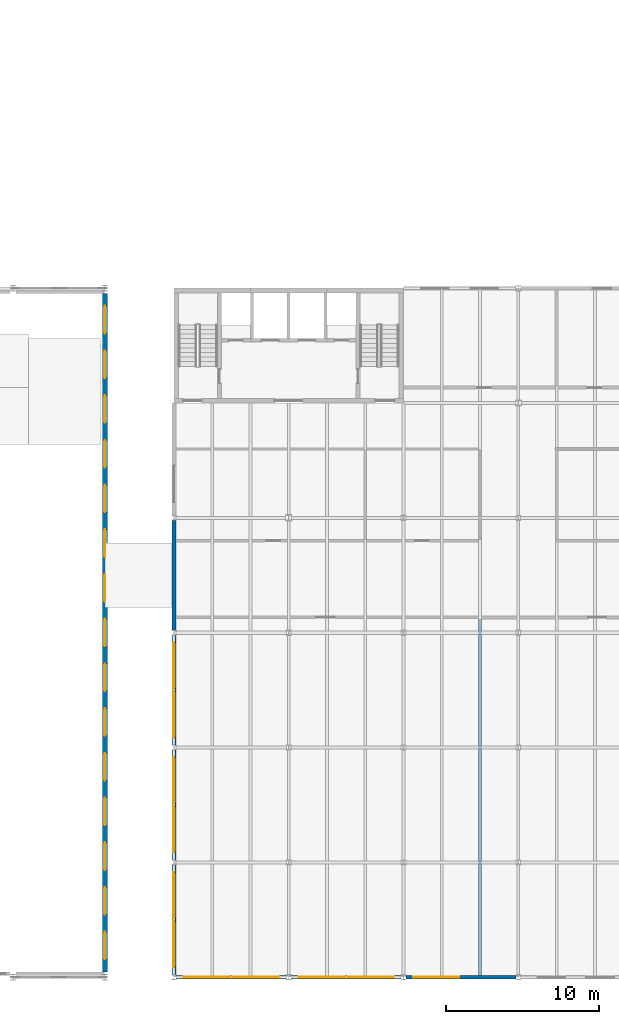
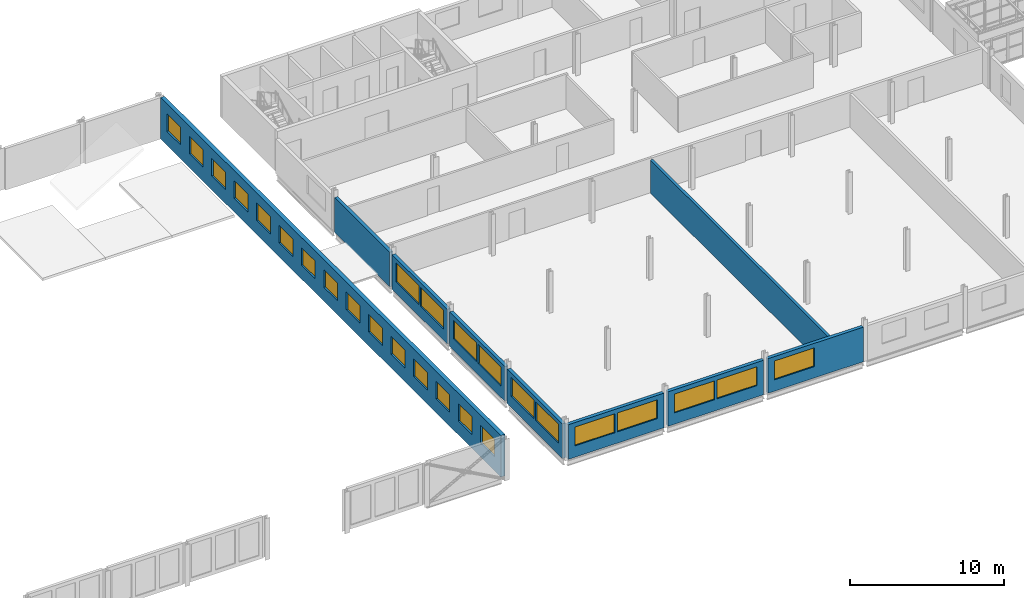
# One storey, part 45 of 198: 26 windows, 9 walls, 26 openings.
"""IFC4 building model written with IfcOpenShell, lengths in metres."""

from ifc_helpers import new_model, si_unit, direction, frame, frame_2d, origin, place, context, subcontext, project, spatial, rectangle, extrude, material, layer, layer_set, type_object, element, fill, save


model = new_model("IFC4")

# Units and contexts
model_context = context("Model", 3, precision=1e-05, world=origin(), true_north=direction((0.0, 1.0)))
body_context = subcontext(model_context, "Body", "Model", "MODEL_VIEW")
ifc_project = project(units=[si_unit("LENGTHUNIT", "METRE"), si_unit("AREAUNIT", "SQUARE_METRE"), si_unit("VOLUMEUNIT", "CUBIC_METRE"), si_unit("PLANEANGLEUNIT", "RADIAN"), si_unit("MASSUNIT", "GRAM", prefix="KILO")], contexts=[model_context])

# Site, building, storey
site_placement = place(None, origin())
site = spatial("IfcSite", under=ifc_project, at=site_placement, CompositionType="ELEMENT")
building_placement = place(site_placement, origin())
building = spatial("IfcBuilding", under=site, at=building_placement, Name="Parallax Yard Mobility Hub", CompositionType="ELEMENT")
storey_placement = place(building_placement, frame((0.0, 0.0, 6.60009765625)))
storey = spatial("IfcBuildingStorey", under=building, at=storey_placement, Name="L02", CompositionType="ELEMENT", Elevation=6.60009765625)

# Wall, openings, windows
ifc_material_1 = material(Name="Concrete fc' 35 MPa", Category="concrete")
ifc_layer_1 = layer(ifc_material_1, 0.25)
ifc_layer_set_1 = layer_set([ifc_layer_1], Name="Exterior wall, Concrete fc' 35 MPa precast, 250 with insulation lining")
wall_type_1 = type_object("IfcWallType", Name="Exterior wall, Concrete fc' 35 MPa precast, 250 with insulation lining", PredefinedType="SOLIDWALL", material=ifc_layer_set_1)
wall_1_placement = place(storey_placement, frame((97.653564453125, 7.5, 0.0), z_axis=(0.0, 0.0, 1.0), x_axis=(1.0, 0.0, 0.0)))
wall_1 = element("IfcWall", 1, at=wall_1_placement, inside=storey, type_object=wall_type_1, Name="Mobility service centre and workshops south wall bay 1 level L02", PredefinedType="SOLIDWALL", context=body_context, shape_type="SweptSolid", body=[
    extrude(rectangle(XDim=7.19287109375, YDim=0.25, at=frame_2d((3.596435546875, 0.0))), origin(), (0.0, 0.0, 1.0), 2.7509765625),
])
opening_1_placement = place(wall_1_placement, frame((0.497802734375, 0.0, 0.89990234375)))
opening_1 = element("IfcOpeningElement", 2, at=opening_1_placement, cuts=wall_1, Name="Opening W7", PredefinedType="OPENING", context=body_context, shape_type="SweptSolid", body=[
    extrude(rectangle(XDim=3.0, YDim=1.5, at=frame_2d((1.5, 0.75))), frame((0.0, 0.135009765625, 0.0), z_axis=(0.0, -1.0, 0.0), x_axis=(1.0, 0.0, 0.0)), (0.0, 0.0, 1.0), 0.27001953125),
])
opening_2_placement = place(wall_1_placement, frame((3.6953125, 0.0, 0.89990234375)))
opening_2 = element("IfcOpeningElement", 3, at=opening_2_placement, cuts=wall_1, Name="Opening W7", PredefinedType="OPENING", context=body_context, shape_type="SweptSolid", body=[
    extrude(rectangle(XDim=3.0, YDim=1.5, at=frame_2d((1.5, 0.75))), frame((0.0, 0.135009765625, 0.0), z_axis=(0.0, -1.0, 0.0), x_axis=(1.0, 0.0, 0.0)), (0.0, 0.0, 1.0), 0.27001953125),
])
ifc_material_2 = material(Name="Double glazed low-E unit in thermally broken aluminium frame", Category="aluminium")
window_type_1 = type_object("IfcWindowType", Name="Meeting room window 3000 x 1500", PartitioningType="TRIPLE_PANEL_VERTICAL", PredefinedType="WINDOW", material=ifc_material_2)
window_1_placement = place(opening_1_placement, origin())
window_1 = element("IfcWindow", 4, at=window_1_placement, inside=storey, type_object=window_type_1, Name="Window W7 level L02", OverallHeight=1.5, OverallWidth=3.0, PartitioningType="TRIPLE_PANEL_VERTICAL", PredefinedType="WINDOW", context=body_context, shape_type="SweptSolid", body=[
    extrude(rectangle(XDim=3.0, YDim=1.5, at=frame_2d((1.5, 0.75))), frame((0.0, 0.030029296875, 0.0), z_axis=(0.0, -1.0, 0.0), x_axis=(1.0, 0.0, 0.0)), (0.0, 0.0, 1.0), 0.06005859375),
])
fill(opening_1, window_1)
window_2_placement = place(opening_2_placement, origin())
window_2 = element("IfcWindow", 5, at=window_2_placement, inside=storey, type_object=window_type_1, Name="Window W7 level L02", OverallHeight=1.5, OverallWidth=3.0, PartitioningType="TRIPLE_PANEL_VERTICAL", PredefinedType="WINDOW", context=body_context, shape_type="SweptSolid", body=[
    extrude(rectangle(XDim=3.0, YDim=1.5, at=frame_2d((1.5, 0.75))), frame((0.0, 0.030029296875, 0.0), z_axis=(0.0, -1.0, 0.0), x_axis=(1.0, 0.0, 0.0)), (0.0, 0.0, 1.0), 0.06005859375),
])
fill(opening_2, window_2)

wall_2_placement = place(storey_placement, frame((105.153564453125, 7.5, 0.0), z_axis=(0.0, 0.0, 1.0), x_axis=(1.0, 0.0, 0.0)))
wall_2 = element("IfcWall", 6, at=wall_2_placement, inside=storey, type_object=wall_type_1, Name="Mobility service centre and workshops south wall bay 2 level L02", PredefinedType="SOLIDWALL", context=body_context, shape_type="SweptSolid", body=[
    extrude(rectangle(XDim=7.19287109375, YDim=0.25, at=frame_2d((3.596435546875, 0.0))), origin(), (0.0, 0.0, 1.0), 2.7509765625),
])
opening_3_placement = place(wall_2_placement, frame((0.497802734375, 0.0, 0.89990234375)))
opening_3 = element("IfcOpeningElement", 7, at=opening_3_placement, cuts=wall_2, Name="Opening W7", PredefinedType="OPENING", context=body_context, shape_type="SweptSolid", body=[
    extrude(rectangle(XDim=3.0, YDim=1.5, at=frame_2d((1.5, 0.75))), frame((0.0, 0.135009765625, 0.0), z_axis=(0.0, -1.0, 0.0), x_axis=(1.0, 0.0, 0.0)), (0.0, 0.0, 1.0), 0.27001953125),
])
opening_4_placement = place(wall_2_placement, frame((3.6953125, 0.0, 0.89990234375)))
opening_4 = element("IfcOpeningElement", 8, at=opening_4_placement, cuts=wall_2, Name="Opening W7", PredefinedType="OPENING", context=body_context, shape_type="SweptSolid", body=[
    extrude(rectangle(XDim=3.0, YDim=1.5, at=frame_2d((1.5, 0.75))), frame((0.0, 0.135009765625, 0.0), z_axis=(0.0, -1.0, 0.0), x_axis=(1.0, 0.0, 0.0)), (0.0, 0.0, 1.0), 0.27001953125),
])
window_3_placement = place(opening_3_placement, origin())
window_3 = element("IfcWindow", 9, at=window_3_placement, inside=storey, type_object=window_type_1, Name="Window W7 level L02", OverallHeight=1.5, OverallWidth=3.0, PartitioningType="TRIPLE_PANEL_VERTICAL", PredefinedType="WINDOW", context=body_context, shape_type="SweptSolid", body=[
    extrude(rectangle(XDim=3.0, YDim=1.5, at=frame_2d((1.5, 0.75))), frame((0.0, 0.030029296875, 0.0), z_axis=(0.0, -1.0, 0.0), x_axis=(1.0, 0.0, 0.0)), (0.0, 0.0, 1.0), 0.06005859375),
])
fill(opening_3, window_3)
window_4_placement = place(opening_4_placement, origin())
window_4 = element("IfcWindow", 10, at=window_4_placement, inside=storey, type_object=window_type_1, Name="Window W7 level L02", OverallHeight=1.5, OverallWidth=3.0, PartitioningType="TRIPLE_PANEL_VERTICAL", PredefinedType="WINDOW", context=body_context, shape_type="SweptSolid", body=[
    extrude(rectangle(XDim=3.0, YDim=1.5, at=frame_2d((1.5, 0.75))), frame((0.0, 0.030029296875, 0.0), z_axis=(0.0, -1.0, 0.0), x_axis=(1.0, 0.0, 0.0)), (0.0, 0.0, 1.0), 0.06005859375),
])
fill(opening_4, window_4)

# Wall, opening, window
wall_3_placement = place(storey_placement, frame((112.653564453125, 7.5, 0.0), z_axis=(0.0, 0.0, 1.0), x_axis=(1.0, 0.0, 0.0)))
wall_3 = element("IfcWall", 11, at=wall_3_placement, inside=storey, type_object=wall_type_1, Name="Mobility service centre and workshops south wall bay 3 level L02", PredefinedType="SOLIDWALL", context=body_context, shape_type="SweptSolid", body=[
    extrude(rectangle(XDim=7.19287109375, YDim=0.25, at=frame_2d((3.596435546875, 0.0))), origin(), (0.0, 0.0, 1.0), 2.7509765625),
])
opening_5_placement = place(wall_3_placement, frame((0.497802734375, 0.0, 0.89990234375)))
opening_5 = element("IfcOpeningElement", 12, at=opening_5_placement, cuts=wall_3, Name="Opening W7", PredefinedType="OPENING", context=body_context, shape_type="SweptSolid", body=[
    extrude(rectangle(XDim=3.0, YDim=1.5, at=frame_2d((1.5, 0.75))), frame((0.0, 0.135009765625, 0.0), z_axis=(0.0, -1.0, 0.0), x_axis=(1.0, 0.0, 0.0)), (0.0, 0.0, 1.0), 0.27001953125),
])
window_5_placement = place(opening_5_placement, origin())
window_5 = element("IfcWindow", 13, at=window_5_placement, inside=storey, type_object=window_type_1, Name="Window W7 level L02", OverallHeight=1.5, OverallWidth=3.0, PartitioningType="TRIPLE_PANEL_VERTICAL", PredefinedType="WINDOW", context=body_context, shape_type="SweptSolid", body=[
    extrude(rectangle(XDim=3.0, YDim=1.5, at=frame_2d((1.5, 0.75))), frame((0.0, 0.030029296875, 0.0), z_axis=(0.0, -1.0, 0.0), x_axis=(1.0, 0.0, 0.0)), (0.0, 0.0, 1.0), 0.06005859375),
])
fill(opening_5, window_5)

# Wall, openings, windows
wall_4_placement = place(storey_placement, frame((97.5, 7.653564453125, 0.0), z_axis=(0.0, 0.0, 1.0), x_axis=(0.0, 1.0, 0.0)))
wall_4 = element("IfcWall", 14, at=wall_4_placement, inside=storey, type_object=wall_type_1, Name="Mobility service centre and workshops west wall bay 1 level L02", PredefinedType="SOLIDWALL", context=body_context, shape_type="SweptSolid", body=[
    extrude(rectangle(XDim=7.19287109375, YDim=0.25, at=frame_2d((3.596435546875, 0.0))), origin(), (0.0, 0.0, 1.0), 2.7509765625),
])
opening_6_placement = place(wall_4_placement, frame((0.497802734375, 0.0, 0.89990234375)))
opening_6 = element("IfcOpeningElement", 15, at=opening_6_placement, cuts=wall_4, Name="Opening W7", PredefinedType="OPENING", context=body_context, shape_type="SweptSolid", body=[
    extrude(rectangle(XDim=3.0, YDim=1.5, at=frame_2d((1.5, 0.75))), frame((0.0, 0.135009765625, 0.0), z_axis=(0.0, -1.0, 0.0), x_axis=(1.0, 0.0, 0.0)), (0.0, 0.0, 1.0), 0.27001953125),
])
opening_7_placement = place(wall_4_placement, frame((3.6953125, 0.0, 0.89990234375)))
opening_7 = element("IfcOpeningElement", 16, at=opening_7_placement, cuts=wall_4, Name="Opening W7", PredefinedType="OPENING", context=body_context, shape_type="SweptSolid", body=[
    extrude(rectangle(XDim=3.0, YDim=1.5, at=frame_2d((1.5, 0.75))), frame((0.0, 0.135009765625, 0.0), z_axis=(0.0, -1.0, 0.0), x_axis=(1.0, 0.0, 0.0)), (0.0, 0.0, 1.0), 0.27001953125),
])
window_6_placement = place(opening_6_placement, origin())
window_6 = element("IfcWindow", 17, at=window_6_placement, inside=storey, type_object=window_type_1, Name="Window W7 level L02", OverallHeight=1.5, OverallWidth=3.0, PartitioningType="TRIPLE_PANEL_VERTICAL", PredefinedType="WINDOW", context=body_context, shape_type="SweptSolid", body=[
    extrude(rectangle(XDim=3.0, YDim=1.5, at=frame_2d((1.5, 0.75))), frame((0.0, 0.030029296875, 0.0), z_axis=(0.0, -1.0, 0.0), x_axis=(1.0, 0.0, 0.0)), (0.0, 0.0, 1.0), 0.06005859375),
])
fill(opening_6, window_6)
window_7_placement = place(opening_7_placement, origin())
window_7 = element("IfcWindow", 18, at=window_7_placement, inside=storey, type_object=window_type_1, Name="Window W7 level L02", OverallHeight=1.5, OverallWidth=3.0, PartitioningType="TRIPLE_PANEL_VERTICAL", PredefinedType="WINDOW", context=body_context, shape_type="SweptSolid", body=[
    extrude(rectangle(XDim=3.0, YDim=1.5, at=frame_2d((1.5, 0.75))), frame((0.0, 0.030029296875, 0.0), z_axis=(0.0, -1.0, 0.0), x_axis=(1.0, 0.0, 0.0)), (0.0, 0.0, 1.0), 0.06005859375),
])
fill(opening_7, window_7)

wall_5_placement = place(storey_placement, frame((97.5, 15.153564453125, 0.0), z_axis=(0.0, 0.0, 1.0), x_axis=(0.0, 1.0, 0.0)))
wall_5 = element("IfcWall", 19, at=wall_5_placement, inside=storey, type_object=wall_type_1, Name="Mobility service centre and workshops west wall bay 2 level L02", PredefinedType="SOLIDWALL", context=body_context, shape_type="SweptSolid", body=[
    extrude(rectangle(XDim=7.19287109375, YDim=0.25, at=frame_2d((3.596435546875, 0.0))), origin(), (0.0, 0.0, 1.0), 2.7509765625),
])
opening_8_placement = place(wall_5_placement, frame((0.497802734375, 0.0, 0.89990234375)))
opening_8 = element("IfcOpeningElement", 20, at=opening_8_placement, cuts=wall_5, Name="Opening W7", PredefinedType="OPENING", context=body_context, shape_type="SweptSolid", body=[
    extrude(rectangle(XDim=3.0, YDim=1.5, at=frame_2d((1.5, 0.75))), frame((0.0, 0.135009765625, 0.0), z_axis=(0.0, -1.0, 0.0), x_axis=(1.0, 0.0, 0.0)), (0.0, 0.0, 1.0), 0.27001953125),
])
opening_9_placement = place(wall_5_placement, frame((3.6953125, 0.0, 0.89990234375)))
opening_9 = element("IfcOpeningElement", 21, at=opening_9_placement, cuts=wall_5, Name="Opening W7", PredefinedType="OPENING", context=body_context, shape_type="SweptSolid", body=[
    extrude(rectangle(XDim=3.0, YDim=1.5, at=frame_2d((1.5, 0.75))), frame((0.0, 0.135009765625, 0.0), z_axis=(0.0, -1.0, 0.0), x_axis=(1.0, 0.0, 0.0)), (0.0, 0.0, 1.0), 0.27001953125),
])
window_8_placement = place(opening_8_placement, origin())
window_8 = element("IfcWindow", 22, at=window_8_placement, inside=storey, type_object=window_type_1, Name="Window W7 level L02", OverallHeight=1.5, OverallWidth=3.0, PartitioningType="TRIPLE_PANEL_VERTICAL", PredefinedType="WINDOW", context=body_context, shape_type="SweptSolid", body=[
    extrude(rectangle(XDim=3.0, YDim=1.5, at=frame_2d((1.5, 0.75))), frame((0.0, 0.030029296875, 0.0), z_axis=(0.0, -1.0, 0.0), x_axis=(1.0, 0.0, 0.0)), (0.0, 0.0, 1.0), 0.06005859375),
])
fill(opening_8, window_8)
window_9_placement = place(opening_9_placement, origin())
window_9 = element("IfcWindow", 23, at=window_9_placement, inside=storey, type_object=window_type_1, Name="Window W7 level L02", OverallHeight=1.5, OverallWidth=3.0, PartitioningType="TRIPLE_PANEL_VERTICAL", PredefinedType="WINDOW", context=body_context, shape_type="SweptSolid", body=[
    extrude(rectangle(XDim=3.0, YDim=1.5, at=frame_2d((1.5, 0.75))), frame((0.0, 0.030029296875, 0.0), z_axis=(0.0, -1.0, 0.0), x_axis=(1.0, 0.0, 0.0)), (0.0, 0.0, 1.0), 0.06005859375),
])
fill(opening_9, window_9)

wall_6_placement = place(storey_placement, frame((97.5, 22.653564453125, 0.0), z_axis=(0.0, 0.0, 1.0), x_axis=(0.0, 1.0, 0.0)))
wall_6 = element("IfcWall", 24, at=wall_6_placement, inside=storey, type_object=wall_type_1, Name="Mobility service centre and workshops west wall bay 3 level L02", PredefinedType="SOLIDWALL", context=body_context, shape_type="SweptSolid", body=[
    extrude(rectangle(XDim=7.19287109375, YDim=0.25, at=frame_2d((3.596435546875, 0.0))), origin(), (0.0, 0.0, 1.0), 2.7509765625),
])
opening_10_placement = place(wall_6_placement, frame((0.497802734375, 0.0, 0.89990234375)))
opening_10 = element("IfcOpeningElement", 25, at=opening_10_placement, cuts=wall_6, Name="Opening W7", PredefinedType="OPENING", context=body_context, shape_type="SweptSolid", body=[
    extrude(rectangle(XDim=3.0, YDim=1.5, at=frame_2d((1.5, 0.75))), frame((0.0, 0.135009765625, 0.0), z_axis=(0.0, -1.0, 0.0), x_axis=(1.0, 0.0, 0.0)), (0.0, 0.0, 1.0), 0.27001953125),
])
opening_11_placement = place(wall_6_placement, frame((3.6953125, 0.0, 0.89990234375)))
opening_11 = element("IfcOpeningElement", 26, at=opening_11_placement, cuts=wall_6, Name="Opening W7", PredefinedType="OPENING", context=body_context, shape_type="SweptSolid", body=[
    extrude(rectangle(XDim=3.0, YDim=1.5, at=frame_2d((1.5, 0.75))), frame((0.0, 0.135009765625, 0.0), z_axis=(0.0, -1.0, 0.0), x_axis=(1.0, 0.0, 0.0)), (0.0, 0.0, 1.0), 0.27001953125),
])
window_10_placement = place(opening_10_placement, origin())
window_10 = element("IfcWindow", 27, at=window_10_placement, inside=storey, type_object=window_type_1, Name="Window W7 level L02", OverallHeight=1.5, OverallWidth=3.0, PartitioningType="TRIPLE_PANEL_VERTICAL", PredefinedType="WINDOW", context=body_context, shape_type="SweptSolid", body=[
    extrude(rectangle(XDim=3.0, YDim=1.5, at=frame_2d((1.5, 0.75))), frame((0.0, 0.030029296875, 0.0), z_axis=(0.0, -1.0, 0.0), x_axis=(1.0, 0.0, 0.0)), (0.0, 0.0, 1.0), 0.06005859375),
])
fill(opening_10, window_10)
window_11_placement = place(opening_11_placement, origin())
window_11 = element("IfcWindow", 28, at=window_11_placement, inside=storey, type_object=window_type_1, Name="Window W7 level L02", OverallHeight=1.5, OverallWidth=3.0, PartitioningType="TRIPLE_PANEL_VERTICAL", PredefinedType="WINDOW", context=body_context, shape_type="SweptSolid", body=[
    extrude(rectangle(XDim=3.0, YDim=1.5, at=frame_2d((1.5, 0.75))), frame((0.0, 0.030029296875, 0.0), z_axis=(0.0, -1.0, 0.0), x_axis=(1.0, 0.0, 0.0)), (0.0, 0.0, 1.0), 0.06005859375),
])
fill(opening_11, window_11)

# Walls
wall_7_placement = place(storey_placement, frame((97.5, 30.153564453125, 0.0), z_axis=(0.0, 0.0, 1.0), x_axis=(0.0, 1.0, 0.0)))
element("IfcWall", 29, at=wall_7_placement, inside=storey, type_object=wall_type_1, Name="Mobility service centre and workshops west wall bay 4 level L02", PredefinedType="SOLIDWALL", context=body_context, shape_type="SweptSolid", body=[
    extrude(rectangle(XDim=7.1875, YDim=0.25, at=frame_2d((3.59375, 0.0))), origin(), (0.0, 0.0, 1.0), 2.7509765625),
])
ifc_material_3 = material(Name="Fire-rated plasterboard partition, two layers each side")
ifc_layer_2 = layer(ifc_material_3, 0.199951171875)
ifc_layer_set_2 = layer_set([ifc_layer_2], Name="Fire-rated partition 200 mm")
wall_type_2 = type_object("IfcWallType", Name="Fire-rated partition 200 mm", PredefinedType="PARTITIONING", material=ifc_layer_set_2)
wall_8_placement = place(storey_placement, frame((117.5, 7.625, 0.0), z_axis=(0.0, 0.0, 1.0), x_axis=(0.0, 1.0, 0.0)))
element("IfcWall", 30, at=wall_8_placement, inside=storey, type_object=wall_type_2, Name="Partition 38 level L02", PredefinedType="PARTITIONING", context=body_context, shape_type="SweptSolid", body=[
    extrude(rectangle(XDim=23.27490234375, YDim=0.199951171875, at=frame_2d((11.637451171875, 0.0))), origin(), (0.0, 0.0, 1.0), 2.626953125),
])

# Wall, openings, windows
ifc_layer_3 = layer(ifc_material_1, 0.300048828125)
ifc_layer_set_3 = layer_set([ifc_layer_3], Name="Portal end wall, Concrete fc' 35 MPa precast, 300")
wall_type_3 = type_object("IfcWallType", Name="Portal end wall, Concrete fc' 35 MPa precast, 300", PredefinedType="SOLIDWALL", material=ifc_layer_set_3)
wall_9_placement = place(storey_placement, frame((93.0, 7.8388671875, 0.0), z_axis=(0.0, 0.0, 1.0), x_axis=(0.0, 1.0, 0.0)))
wall_9 = element("IfcWall", 31, at=wall_9_placement, inside=storey, type_object=wall_type_3, Name="Bus and taxi deck east end wall bay 1 level L02", PredefinedType="SOLIDWALL", context=body_context, shape_type="SweptSolid", body=[
    extrude(rectangle(XDim=44.322265625, YDim=0.300048828125, at=frame_2d((22.1611328125, 0.0))), origin(), (0.0, 0.0, 1.0), 3.2998046875),
])
opening_12_placement = place(wall_9_placement, frame((0.820068359375, 0.0, 1.10009765625)))
opening_12 = element("IfcOpeningElement", 32, at=opening_12_placement, cuts=wall_9, Name="Opening LV2", PredefinedType="OPENING", context=body_context, shape_type="SweptSolid", body=[
    extrude(rectangle(XDim=1.800048828125, YDim=1.39990234375, at=frame_2d((0.89990234375, 0.699951171875))), frame((0.0, 0.16015625, 0.0), z_axis=(0.0, -1.0, 0.0), x_axis=(1.0, 0.0, 0.0)), (0.0, 0.0, 1.0), 0.320068359375),
])
opening_13_placement = place(wall_9_placement, frame((3.740234375, 0.0, 1.10009765625)))
opening_13 = element("IfcOpeningElement", 33, at=opening_13_placement, cuts=wall_9, Name="Opening LV2", PredefinedType="OPENING", context=body_context, shape_type="SweptSolid", body=[
    extrude(rectangle(XDim=1.800048828125, YDim=1.39990234375, at=frame_2d((0.89990234375, 0.699951171875))), frame((0.0, 0.16015625, 0.0), z_axis=(0.0, -1.0, 0.0), x_axis=(1.0, 0.0, 0.0)), (0.0, 0.0, 1.0), 0.320068359375),
])
opening_14_placement = place(wall_9_placement, frame((6.660400390625, 0.0, 1.10009765625)))
opening_14 = element("IfcOpeningElement", 34, at=opening_14_placement, cuts=wall_9, Name="Opening LV2", PredefinedType="OPENING", context=body_context, shape_type="SweptSolid", body=[
    extrude(rectangle(XDim=1.800048828125, YDim=1.39990234375, at=frame_2d((0.89990234375, 0.699951171875))), frame((0.0, 0.16015625, 0.0), z_axis=(0.0, -1.0, 0.0), x_axis=(1.0, 0.0, 0.0)), (0.0, 0.0, 1.0), 0.320068359375),
])
opening_15_placement = place(wall_9_placement, frame((9.58056640625, 0.0, 1.10009765625)))
opening_15 = element("IfcOpeningElement", 35, at=opening_15_placement, cuts=wall_9, Name="Opening LV2", PredefinedType="OPENING", context=body_context, shape_type="SweptSolid", body=[
    extrude(rectangle(XDim=1.800048828125, YDim=1.39990234375, at=frame_2d((0.89990234375, 0.699951171875))), frame((0.0, 0.16015625, 0.0), z_axis=(0.0, -1.0, 0.0), x_axis=(1.0, 0.0, 0.0)), (0.0, 0.0, 1.0), 0.320068359375),
])
opening_16_placement = place(wall_9_placement, frame((12.500732421875, 0.0, 1.10009765625)))
opening_16 = element("IfcOpeningElement", 36, at=opening_16_placement, cuts=wall_9, Name="Opening LV2", PredefinedType="OPENING", context=body_context, shape_type="SweptSolid", body=[
    extrude(rectangle(XDim=1.800048828125, YDim=1.39990234375, at=frame_2d((0.89990234375, 0.699951171875))), frame((0.0, 0.16015625, 0.0), z_axis=(0.0, -1.0, 0.0), x_axis=(1.0, 0.0, 0.0)), (0.0, 0.0, 1.0), 0.320068359375),
])
opening_17_placement = place(wall_9_placement, frame((15.4208984375, 0.0, 1.10009765625)))
opening_17 = element("IfcOpeningElement", 37, at=opening_17_placement, cuts=wall_9, Name="Opening LV2", PredefinedType="OPENING", context=body_context, shape_type="SweptSolid", body=[
    extrude(rectangle(XDim=1.800048828125, YDim=1.39990234375, at=frame_2d((0.89990234375, 0.699951171875))), frame((0.0, 0.16015625, 0.0), z_axis=(0.0, -1.0, 0.0), x_axis=(1.0, 0.0, 0.0)), (0.0, 0.0, 1.0), 0.320068359375),
])
opening_18_placement = place(wall_9_placement, frame((18.341064453125, 0.0, 1.10009765625)))
opening_18 = element("IfcOpeningElement", 38, at=opening_18_placement, cuts=wall_9, Name="Opening LV2", PredefinedType="OPENING", context=body_context, shape_type="SweptSolid", body=[
    extrude(rectangle(XDim=1.800048828125, YDim=1.39990234375, at=frame_2d((0.89990234375, 0.699951171875))), frame((0.0, 0.16015625, 0.0), z_axis=(0.0, -1.0, 0.0), x_axis=(1.0, 0.0, 0.0)), (0.0, 0.0, 1.0), 0.320068359375),
])
opening_19_placement = place(wall_9_placement, frame((21.260986328125, 0.0, 1.10009765625)))
opening_19 = element("IfcOpeningElement", 39, at=opening_19_placement, cuts=wall_9, Name="Opening LV2", PredefinedType="OPENING", context=body_context, shape_type="SweptSolid", body=[
    extrude(rectangle(XDim=1.800048828125, YDim=1.39990234375, at=frame_2d((0.89990234375, 0.699951171875))), frame((0.0, 0.16015625, 0.0), z_axis=(0.0, -1.0, 0.0), x_axis=(1.0, 0.0, 0.0)), (0.0, 0.0, 1.0), 0.320068359375),
])
opening_20_placement = place(wall_9_placement, frame((24.18115234375, 0.0, 1.10009765625)))
opening_20 = element("IfcOpeningElement", 40, at=opening_20_placement, cuts=wall_9, Name="Opening LV2", PredefinedType="OPENING", context=body_context, shape_type="SweptSolid", body=[
    extrude(rectangle(XDim=1.800048828125, YDim=1.39990234375, at=frame_2d((0.89990234375, 0.699951171875))), frame((0.0, 0.16015625, 0.0), z_axis=(0.0, -1.0, 0.0), x_axis=(1.0, 0.0, 0.0)), (0.0, 0.0, 1.0), 0.320068359375),
])
opening_21_placement = place(wall_9_placement, frame((27.101318359375, 0.0, 1.10009765625)))
opening_21 = element("IfcOpeningElement", 41, at=opening_21_placement, cuts=wall_9, Name="Opening LV2", PredefinedType="OPENING", context=body_context, shape_type="SweptSolid", body=[
    extrude(rectangle(XDim=1.800048828125, YDim=1.39990234375, at=frame_2d((0.89990234375, 0.699951171875))), frame((0.0, 0.16015625, 0.0), z_axis=(0.0, -1.0, 0.0), x_axis=(1.0, 0.0, 0.0)), (0.0, 0.0, 1.0), 0.320068359375),
])
opening_22_placement = place(wall_9_placement, frame((30.021484375, 0.0, 1.10009765625)))
opening_22 = element("IfcOpeningElement", 42, at=opening_22_placement, cuts=wall_9, Name="Opening LV2", PredefinedType="OPENING", context=body_context, shape_type="SweptSolid", body=[
    extrude(rectangle(XDim=1.800048828125, YDim=1.39990234375, at=frame_2d((0.89990234375, 0.699951171875))), frame((0.0, 0.16015625, 0.0), z_axis=(0.0, -1.0, 0.0), x_axis=(1.0, 0.0, 0.0)), (0.0, 0.0, 1.0), 0.320068359375),
])
opening_23_placement = place(wall_9_placement, frame((32.941650390625, 0.0, 1.10009765625)))
opening_23 = element("IfcOpeningElement", 43, at=opening_23_placement, cuts=wall_9, Name="Opening LV2", PredefinedType="OPENING", context=body_context, shape_type="SweptSolid", body=[
    extrude(rectangle(XDim=1.800048828125, YDim=1.39990234375, at=frame_2d((0.89990234375, 0.699951171875))), frame((0.0, 0.16015625, 0.0), z_axis=(0.0, -1.0, 0.0), x_axis=(1.0, 0.0, 0.0)), (0.0, 0.0, 1.0), 0.320068359375),
])
opening_24_placement = place(wall_9_placement, frame((35.86181640625, 0.0, 1.10009765625)))
opening_24 = element("IfcOpeningElement", 44, at=opening_24_placement, cuts=wall_9, Name="Opening LV2", PredefinedType="OPENING", context=body_context, shape_type="SweptSolid", body=[
    extrude(rectangle(XDim=1.800048828125, YDim=1.39990234375, at=frame_2d((0.89990234375, 0.699951171875))), frame((0.0, 0.16015625, 0.0), z_axis=(0.0, -1.0, 0.0), x_axis=(1.0, 0.0, 0.0)), (0.0, 0.0, 1.0), 0.320068359375),
])
opening_25_placement = place(wall_9_placement, frame((38.781982421875, 0.0, 1.10009765625)))
opening_25 = element("IfcOpeningElement", 45, at=opening_25_placement, cuts=wall_9, Name="Opening LV2", PredefinedType="OPENING", context=body_context, shape_type="SweptSolid", body=[
    extrude(rectangle(XDim=1.800048828125, YDim=1.39990234375, at=frame_2d((0.89990234375, 0.699951171875))), frame((0.0, 0.16015625, 0.0), z_axis=(0.0, -1.0, 0.0), x_axis=(1.0, 0.0, 0.0)), (0.0, 0.0, 1.0), 0.320068359375),
])
opening_26_placement = place(wall_9_placement, frame((41.7021484375, 0.0, 1.10009765625)))
opening_26 = element("IfcOpeningElement", 46, at=opening_26_placement, cuts=wall_9, Name="Opening LV2", PredefinedType="OPENING", context=body_context, shape_type="SweptSolid", body=[
    extrude(rectangle(XDim=1.800048828125, YDim=1.39990234375, at=frame_2d((0.89990234375, 0.699951171875))), frame((0.0, 0.16015625, 0.0), z_axis=(0.0, -1.0, 0.0), x_axis=(1.0, 0.0, 0.0)), (0.0, 0.0, 1.0), 0.320068359375),
])
ifc_material_4 = material(Name="Extruded aluminium storm louvre blades in a powder-coated frame", Category="aluminium")
window_type_2 = type_object("IfcWindowType", Name="Screen louvre 1800 x 1400", PartitioningType="SINGLE_PANEL", PredefinedType="WINDOW", material=ifc_material_4)
window_12_placement = place(opening_12_placement, origin())
window_12 = element("IfcWindow", 47, at=window_12_placement, inside=storey, type_object=window_type_2, Name="LV2 louvre level L02", OverallHeight=1.39990234375, OverallWidth=1.800048828125, PartitioningType="SINGLE_PANEL", PredefinedType="WINDOW", context=body_context, shape_type="SweptSolid", body=[
    extrude(rectangle(XDim=1.800048828125, YDim=1.39990234375, at=frame_2d((0.89990234375, 0.699951171875))), frame((0.0, 0.030029296875, 0.0), z_axis=(0.0, -1.0, 0.0), x_axis=(1.0, 0.0, 0.0)), (0.0, 0.0, 1.0), 0.06005859375),
])
fill(opening_12, window_12)
window_13_placement = place(opening_13_placement, origin())
window_13 = element("IfcWindow", 48, at=window_13_placement, inside=storey, type_object=window_type_2, Name="LV2 louvre level L02", OverallHeight=1.39990234375, OverallWidth=1.800048828125, PartitioningType="SINGLE_PANEL", PredefinedType="WINDOW", context=body_context, shape_type="SweptSolid", body=[
    extrude(rectangle(XDim=1.800048828125, YDim=1.39990234375, at=frame_2d((0.89990234375, 0.699951171875))), frame((0.0, 0.030029296875, 0.0), z_axis=(0.0, -1.0, 0.0), x_axis=(1.0, 0.0, 0.0)), (0.0, 0.0, 1.0), 0.06005859375),
])
fill(opening_13, window_13)
window_14_placement = place(opening_14_placement, origin())
window_14 = element("IfcWindow", 49, at=window_14_placement, inside=storey, type_object=window_type_2, Name="LV2 louvre level L02", OverallHeight=1.39990234375, OverallWidth=1.800048828125, PartitioningType="SINGLE_PANEL", PredefinedType="WINDOW", context=body_context, shape_type="SweptSolid", body=[
    extrude(rectangle(XDim=1.800048828125, YDim=1.39990234375, at=frame_2d((0.89990234375, 0.699951171875))), frame((0.0, 0.030029296875, 0.0), z_axis=(0.0, -1.0, 0.0), x_axis=(1.0, 0.0, 0.0)), (0.0, 0.0, 1.0), 0.06005859375),
])
fill(opening_14, window_14)
window_15_placement = place(opening_15_placement, origin())
window_15 = element("IfcWindow", 50, at=window_15_placement, inside=storey, type_object=window_type_2, Name="LV2 louvre level L02", OverallHeight=1.39990234375, OverallWidth=1.800048828125, PartitioningType="SINGLE_PANEL", PredefinedType="WINDOW", context=body_context, shape_type="SweptSolid", body=[
    extrude(rectangle(XDim=1.800048828125, YDim=1.39990234375, at=frame_2d((0.89990234375, 0.699951171875))), frame((0.0, 0.030029296875, 0.0), z_axis=(0.0, -1.0, 0.0), x_axis=(1.0, 0.0, 0.0)), (0.0, 0.0, 1.0), 0.06005859375),
])
fill(opening_15, window_15)
window_16_placement = place(opening_16_placement, origin())
window_16 = element("IfcWindow", 51, at=window_16_placement, inside=storey, type_object=window_type_2, Name="LV2 louvre level L02", OverallHeight=1.39990234375, OverallWidth=1.800048828125, PartitioningType="SINGLE_PANEL", PredefinedType="WINDOW", context=body_context, shape_type="SweptSolid", body=[
    extrude(rectangle(XDim=1.800048828125, YDim=1.39990234375, at=frame_2d((0.89990234375, 0.699951171875))), frame((0.0, 0.030029296875, 0.0), z_axis=(0.0, -1.0, 0.0), x_axis=(1.0, 0.0, 0.0)), (0.0, 0.0, 1.0), 0.06005859375),
])
fill(opening_16, window_16)
window_17_placement = place(opening_17_placement, origin())
window_17 = element("IfcWindow", 52, at=window_17_placement, inside=storey, type_object=window_type_2, Name="LV2 louvre level L02", OverallHeight=1.39990234375, OverallWidth=1.800048828125, PartitioningType="SINGLE_PANEL", PredefinedType="WINDOW", context=body_context, shape_type="SweptSolid", body=[
    extrude(rectangle(XDim=1.800048828125, YDim=1.39990234375, at=frame_2d((0.89990234375, 0.699951171875))), frame((0.0, 0.030029296875, 0.0), z_axis=(0.0, -1.0, 0.0), x_axis=(1.0, 0.0, 0.0)), (0.0, 0.0, 1.0), 0.06005859375),
])
fill(opening_17, window_17)
window_18_placement = place(opening_18_placement, origin())
window_18 = element("IfcWindow", 53, at=window_18_placement, inside=storey, type_object=window_type_2, Name="LV2 louvre level L02", OverallHeight=1.39990234375, OverallWidth=1.800048828125, PartitioningType="SINGLE_PANEL", PredefinedType="WINDOW", context=body_context, shape_type="SweptSolid", body=[
    extrude(rectangle(XDim=1.800048828125, YDim=1.39990234375, at=frame_2d((0.89990234375, 0.699951171875))), frame((0.0, 0.030029296875, 0.0), z_axis=(0.0, -1.0, 0.0), x_axis=(1.0, 0.0, 0.0)), (0.0, 0.0, 1.0), 0.06005859375),
])
fill(opening_18, window_18)
window_19_placement = place(opening_19_placement, origin())
window_19 = element("IfcWindow", 54, at=window_19_placement, inside=storey, type_object=window_type_2, Name="LV2 louvre level L02", OverallHeight=1.39990234375, OverallWidth=1.800048828125, PartitioningType="SINGLE_PANEL", PredefinedType="WINDOW", context=body_context, shape_type="SweptSolid", body=[
    extrude(rectangle(XDim=1.800048828125, YDim=1.39990234375, at=frame_2d((0.89990234375, 0.699951171875))), frame((0.0, 0.030029296875, 0.0), z_axis=(0.0, -1.0, 0.0), x_axis=(1.0, 0.0, 0.0)), (0.0, 0.0, 1.0), 0.06005859375),
])
fill(opening_19, window_19)
window_20_placement = place(opening_20_placement, origin())
window_20 = element("IfcWindow", 55, at=window_20_placement, inside=storey, type_object=window_type_2, Name="LV2 louvre level L02", OverallHeight=1.39990234375, OverallWidth=1.800048828125, PartitioningType="SINGLE_PANEL", PredefinedType="WINDOW", context=body_context, shape_type="SweptSolid", body=[
    extrude(rectangle(XDim=1.800048828125, YDim=1.39990234375, at=frame_2d((0.89990234375, 0.699951171875))), frame((0.0, 0.030029296875, 0.0), z_axis=(0.0, -1.0, 0.0), x_axis=(1.0, 0.0, 0.0)), (0.0, 0.0, 1.0), 0.06005859375),
])
fill(opening_20, window_20)
window_21_placement = place(opening_21_placement, origin())
window_21 = element("IfcWindow", 56, at=window_21_placement, inside=storey, type_object=window_type_2, Name="LV2 louvre level L02", OverallHeight=1.39990234375, OverallWidth=1.800048828125, PartitioningType="SINGLE_PANEL", PredefinedType="WINDOW", context=body_context, shape_type="SweptSolid", body=[
    extrude(rectangle(XDim=1.800048828125, YDim=1.39990234375, at=frame_2d((0.89990234375, 0.699951171875))), frame((0.0, 0.030029296875, 0.0), z_axis=(0.0, -1.0, 0.0), x_axis=(1.0, 0.0, 0.0)), (0.0, 0.0, 1.0), 0.06005859375),
])
fill(opening_21, window_21)
window_22_placement = place(opening_22_placement, origin())
window_22 = element("IfcWindow", 57, at=window_22_placement, inside=storey, type_object=window_type_2, Name="LV2 louvre level L02", OverallHeight=1.39990234375, OverallWidth=1.800048828125, PartitioningType="SINGLE_PANEL", PredefinedType="WINDOW", context=body_context, shape_type="SweptSolid", body=[
    extrude(rectangle(XDim=1.800048828125, YDim=1.39990234375, at=frame_2d((0.89990234375, 0.699951171875))), frame((0.0, 0.030029296875, 0.0), z_axis=(0.0, -1.0, 0.0), x_axis=(1.0, 0.0, 0.0)), (0.0, 0.0, 1.0), 0.06005859375),
])
fill(opening_22, window_22)
window_23_placement = place(opening_23_placement, origin())
window_23 = element("IfcWindow", 58, at=window_23_placement, inside=storey, type_object=window_type_2, Name="LV2 louvre level L02", OverallHeight=1.39990234375, OverallWidth=1.800048828125, PartitioningType="SINGLE_PANEL", PredefinedType="WINDOW", context=body_context, shape_type="SweptSolid", body=[
    extrude(rectangle(XDim=1.800048828125, YDim=1.39990234375, at=frame_2d((0.89990234375, 0.699951171875))), frame((0.0, 0.030029296875, 0.0), z_axis=(0.0, -1.0, 0.0), x_axis=(1.0, 0.0, 0.0)), (0.0, 0.0, 1.0), 0.06005859375),
])
fill(opening_23, window_23)
window_24_placement = place(opening_24_placement, origin())
window_24 = element("IfcWindow", 59, at=window_24_placement, inside=storey, type_object=window_type_2, Name="LV2 louvre level L02", OverallHeight=1.39990234375, OverallWidth=1.800048828125, PartitioningType="SINGLE_PANEL", PredefinedType="WINDOW", context=body_context, shape_type="SweptSolid", body=[
    extrude(rectangle(XDim=1.800048828125, YDim=1.39990234375, at=frame_2d((0.89990234375, 0.699951171875))), frame((0.0, 0.030029296875, 0.0), z_axis=(0.0, -1.0, 0.0), x_axis=(1.0, 0.0, 0.0)), (0.0, 0.0, 1.0), 0.06005859375),
])
fill(opening_24, window_24)
window_25_placement = place(opening_25_placement, origin())
window_25 = element("IfcWindow", 60, at=window_25_placement, inside=storey, type_object=window_type_2, Name="LV2 louvre level L02", OverallHeight=1.39990234375, OverallWidth=1.800048828125, PartitioningType="SINGLE_PANEL", PredefinedType="WINDOW", context=body_context, shape_type="SweptSolid", body=[
    extrude(rectangle(XDim=1.800048828125, YDim=1.39990234375, at=frame_2d((0.89990234375, 0.699951171875))), frame((0.0, 0.030029296875, 0.0), z_axis=(0.0, -1.0, 0.0), x_axis=(1.0, 0.0, 0.0)), (0.0, 0.0, 1.0), 0.06005859375),
])
fill(opening_25, window_25)
window_26_placement = place(opening_26_placement, origin())
window_26 = element("IfcWindow", 61, at=window_26_placement, inside=storey, type_object=window_type_2, Name="LV2 louvre level L02", OverallHeight=1.39990234375, OverallWidth=1.800048828125, PartitioningType="SINGLE_PANEL", PredefinedType="WINDOW", context=body_context, shape_type="SweptSolid", body=[
    extrude(rectangle(XDim=1.800048828125, YDim=1.39990234375, at=frame_2d((0.89990234375, 0.699951171875))), frame((0.0, 0.030029296875, 0.0), z_axis=(0.0, -1.0, 0.0), x_axis=(1.0, 0.0, 0.0)), (0.0, 0.0, 1.0), 0.06005859375),
])
fill(opening_26, window_26)

save(model, "model.ifc")
